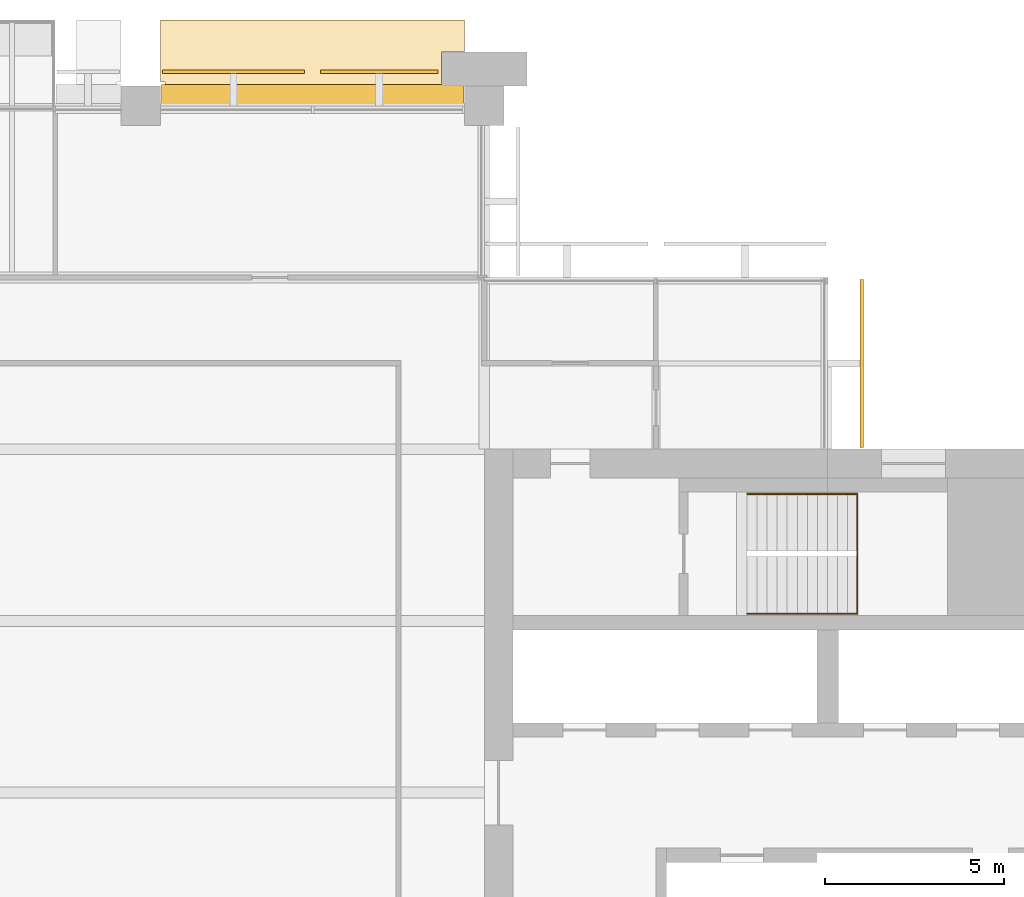
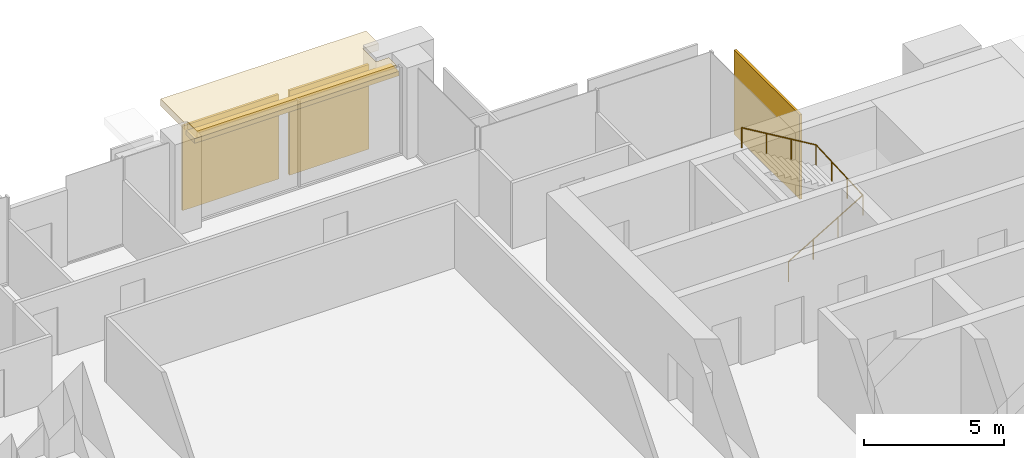
# One storey, part 14 of 14: 4 coverings, 1 railing, 1 shading device.
"""IFC4 building model written with IfcOpenShell, lengths in metres."""

from ifc_helpers import new_model, si_unit, direction, frame, origin, origin_2d, place, context, subcontext, project, spatial, polyline, rectangle, circle, outline, extrude, material, layer, layer_set, type_object, element, save


model = new_model("IFC4")

# Units and contexts
model_context = context("Model", 3, precision=1e-05, world=origin(), true_north=direction((0.0, 1.0)))
body_context = subcontext(model_context, "Body", "Model", "MODEL_VIEW")
ifc_project = project(units=[si_unit("LENGTHUNIT", "METRE"), si_unit("AREAUNIT", "SQUARE_METRE"), si_unit("VOLUMEUNIT", "CUBIC_METRE"), si_unit("PLANEANGLEUNIT", "RADIAN"), si_unit("MASSUNIT", "GRAM", prefix="KILO")], contexts=[model_context])

# Site, building, storey
site_placement = place(None, origin())
site = spatial("IfcSite", under=ifc_project, at=site_placement, CompositionType="ELEMENT")
building_placement = place(site_placement, origin())
building = spatial("IfcBuilding", under=site, at=building_placement, Name="Baori Bourse Tower", CompositionType="ELEMENT")
storey_placement = place(building_placement, frame((0.0, 0.0, 209.199951171875)))
storey = spatial("IfcBuildingStorey", under=building, at=storey_placement, Name="L45", CompositionType="ELEMENT", Elevation=209.199951171875)

# Covering
ifc_material_1 = material(Name="Pale anodised aluminium", Category="aluminium")
covering_type_1 = type_object("IfcCoveringType", Name="BD1 Pale metal band", PredefinedType="CLADDING", material=ifc_material_1)
covering_1_placement = place(storey_placement, frame((0.0, 0.0, 3.5400390625)))
element("IfcCovering", 1, at=covering_1_placement, inside=storey, type_object=covering_type_1, Name="Pale projecting band L45 2", PredefinedType="CLADDING", context=body_context, shape_type="SweptSolid", body=[
    extrude(outline(polyline([(29.469970703125, 48.0), (37.72998046875, 48.0), (37.72998046875, 48.550048828125), (37.199951171875, 48.550048828125), (37.199951171875, 49.5), (37.85009765625, 49.5), (37.85009765625, 50.39990234375), (29.35009765625, 50.39990234375), (29.35009765625, 48.669921875), (29.469970703125, 48.669921875), (29.469970703125, 48.0)])), origin(), (0.0, 0.0, 1.0), 0.300048828125),
])

# Shading device
ifc_material_2 = material(Name="Concrete f'c 40 MPa", Category="concrete")
ifc_layer_1 = layer(ifc_material_2, 0.199951171875)
ifc_layer_set_1 = layer_set([ifc_layer_1], Name="BS1 Brise-soleil ledge")
shading_device_type = type_object("IfcShadingDeviceType", Name="BS1 Brise-soleil ledge", PredefinedType="USERDEFINED", material=ifc_layer_set_1)
shading_device_placement = place(storey_placement, frame((33.60009765625, 48.300048828125, 3.33984375), z_axis=(0.0, 0.0, 1.0), x_axis=(-1.0, 0.0, 0.0)))
element("IfcShadingDevice", 2, at=shading_device_placement, inside=storey, type_object=shading_device_type, Name="Brise-soleil ledge L45 1", ObjectType="BRISE SOLEIL", PredefinedType="USERDEFINED", context=body_context, shape_type="SweptSolid", body=[
    extrude(rectangle(XDim=8.4599609375, YDim=0.60009765625, at=origin_2d()), origin(), (0.0, 0.0, 1.0), 0.199951171875),
])

# Railing
ifc_material_3 = material(Name="Powder-coated steel balustrade", Category="steel")
railing_type = type_object("IfcRailingType", Name="Core stair handrail", PredefinedType="HANDRAIL", material=ifc_material_3)
railing_placement = place(storey_placement, frame((45.75, 33.800048828125, 0.166748046875)))
element("IfcRailing", 3, at=railing_placement, inside=storey, type_object=railing_type, Name="L45 ST4 stair handrail 1", PredefinedType="HANDRAIL", context=body_context, shape_type="SweptSolid", body=[
    extrude(circle(Radius=0.02392578125, at=origin_2d()), frame((0.0, 0.0, 0.8759765625), z_axis=(0.859308565015, 0.0, 0.511457515432), x_axis=(0.0, 1.0, 0.0)), (0.0, 0.0, 1.0), 3.58447265625),
    extrude(circle(Radius=0.02392578125, at=origin_2d()), frame((3.080078125, 0.0, 2.708984375), z_axis=(0.0, 0.998763387249, 0.04971615724), x_axis=(-1.0, 0.0, 0.0)), (0.0, 0.0, 1.0), 3.35400390625),
    extrude(circle(Radius=0.02392578125, at=origin_2d()), frame((3.080078125, 3.349853515625, 2.8759765625), z_axis=(-0.859308565015, 0.0, 0.511457515432), x_axis=(0.0, -1.0, 0.0)), (0.0, 0.0, 1.0), 3.58447265625),
    extrude(circle(Radius=0.02099609375, at=origin_2d()), origin(), (0.0, 0.0, 1.0), 0.851806640625),
    extrude(circle(Radius=0.02099609375, at=origin_2d()), frame((1.026611328125, 0.0, 0.611083984375)), (0.0, 0.0, 1.0), 0.851806640625),
    extrude(circle(Radius=0.02099609375, at=origin_2d()), frame((2.053466796875, 0.0, 1.22216796875)), (0.0, 0.0, 1.0), 0.851806640625),
    extrude(circle(Radius=0.02099609375, at=origin_2d()), frame((3.080078125, 0.0, 1.833251953125)), (0.0, 0.0, 1.0), 0.851806640625),
    extrude(circle(Radius=0.02099609375, at=origin_2d()), frame((3.080078125, 1.11669921875, 1.888916015625)), (0.0, 0.0, 1.0), 0.851806640625),
    extrude(circle(Radius=0.02099609375, at=origin_2d()), frame((3.080078125, 2.233154296875, 1.9443359375)), (0.0, 0.0, 1.0), 0.851806640625),
    extrude(circle(Radius=0.02099609375, at=origin_2d()), frame((3.080078125, 3.349853515625, 2.0)), (0.0, 0.0, 1.0), 0.851806640625),
    extrude(circle(Radius=0.02099609375, at=origin_2d()), frame((2.053466796875, 3.349853515625, 2.611083984375)), (0.0, 0.0, 1.0), 0.851806640625),
    extrude(circle(Radius=0.02099609375, at=origin_2d()), frame((1.026611328125, 3.349853515625, 3.22216796875)), (0.0, 0.0, 1.0), 0.851806640625),
    extrude(circle(Radius=0.02099609375, at=origin_2d()), frame((0.0, 3.349853515625, 3.833251953125)), (0.0, 0.0, 1.0), 0.851806640625),
])

# Coverings
ifc_material_4 = material(Name="Pale anodised aluminium", Category="aluminium")
ifc_layer_2 = layer(ifc_material_4, 0.10009765625)
ifc_layer_set_2 = layer_set([ifc_layer_2], Name="OS3 Outer skin screen panel")
covering_type_2 = type_object("IfcCoveringType", Name="OS3 Outer skin screen panel", PredefinedType="CLADDING", material=ifc_layer_set_2)
covering_2_placement = place(storey_placement, frame((0.0, 0.0, -0.159912109375)))
element("IfcCovering", 4, at=covering_2_placement, inside=storey, type_object=covering_type_2, Name="Outer skin screen L45 1", PredefinedType="CLADDING", context=body_context, shape_type="SweptSolid", body=[
    extrude(outline(polyline([(48.89990234375, 43.14990234375), (48.89990234375, 38.449951171875), (49.0, 38.449951171875), (49.0, 43.14990234375), (48.89990234375, 43.14990234375)])), origin(), (0.0, 0.0, 1.0), 3.699951171875),
])
covering_3_placement = place(storey_placement, frame((0.0, 0.0, -0.159912109375)))
element("IfcCovering", 5, at=covering_3_placement, inside=storey, type_object=covering_type_2, Name="Outer skin screen L45 5", PredefinedType="CLADDING", context=body_context, shape_type="SweptSolid", body=[
    extrude(outline(polyline([(33.824951171875, 48.89990234375), (37.10009765625, 48.89990234375), (37.10009765625, 49.0), (33.824951171875, 49.0), (33.824951171875, 48.89990234375)])), origin(), (0.0, 0.0, 1.0), 3.699951171875),
])
covering_4_placement = place(storey_placement, frame((0.0, 0.0, -0.159912109375)))
element("IfcCovering", 6, at=covering_4_placement, inside=storey, type_object=covering_type_2, Name="Outer skin screen L45 6", PredefinedType="CLADDING", context=body_context, shape_type="SweptSolid", body=[
    extrude(outline(polyline([(29.39990234375, 48.89990234375), (33.375, 48.89990234375), (33.375, 49.0), (29.39990234375, 49.0), (29.39990234375, 48.89990234375)])), origin(), (0.0, 0.0, 1.0), 3.699951171875),
])

save(model, "model.ifc")
